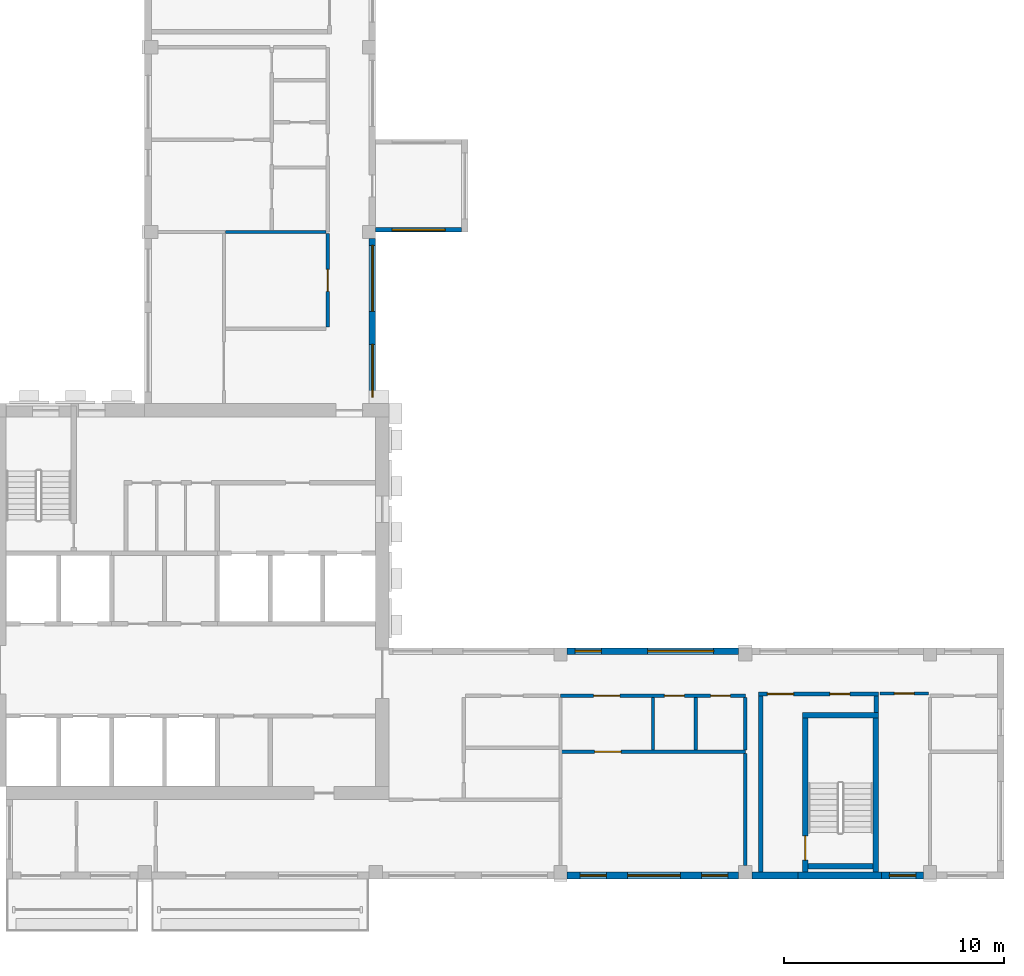
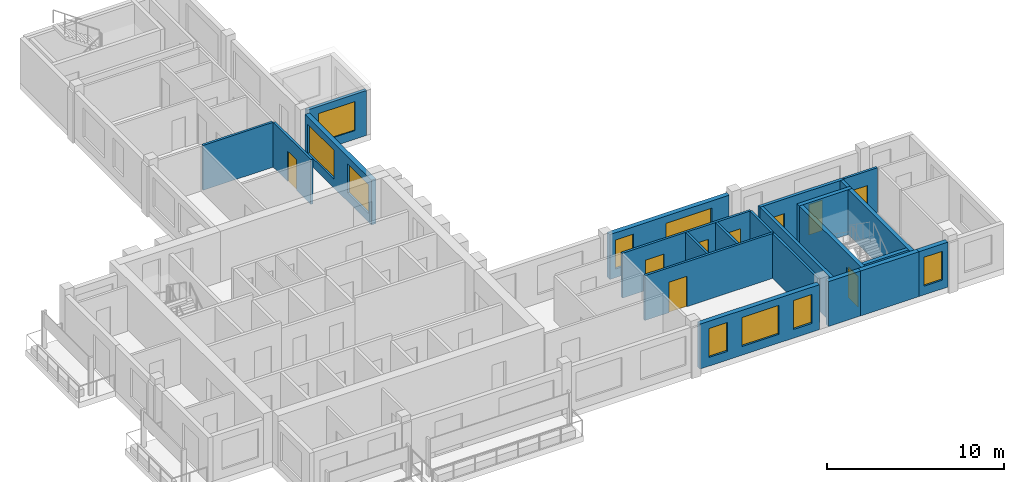
# One storey, part 4 of 10: 23 walls, 9 doors, 9 windows, 18 openings.
"""IFC4 building model written with IfcOpenShell, lengths in metres."""

from ifc_helpers import new_model, si_unit, direction, frame, frame_2d, origin, place, context, subcontext, project, spatial, rectangle, extrude, source, transform, mapped, material, layer, layer_set, type_object, element, fill, save


model = new_model("IFC4")

# Units and contexts
model_context = context("Model", 3, precision=1e-05, world=origin(), true_north=direction((0.0, 1.0)))
body_context = subcontext(model_context, "Body", "Model", "MODEL_VIEW")
ifc_project = project(units=[si_unit("LENGTHUNIT", "METRE"), si_unit("AREAUNIT", "SQUARE_METRE"), si_unit("VOLUMEUNIT", "CUBIC_METRE"), si_unit("PLANEANGLEUNIT", "RADIAN"), si_unit("MASSUNIT", "GRAM", prefix="KILO")], contexts=[model_context])

# Site, building, storey
site_placement = place(None, origin())
site = spatial("IfcSite", under=ifc_project, at=site_placement, CompositionType="ELEMENT")
building_placement = place(site_placement, origin())
building = spatial("IfcBuilding", under=site, at=building_placement, Name="Aurelian Terraces", CompositionType="ELEMENT")
storey_placement = place(building_placement, frame((0.0, 0.0, 354.5)))
storey = spatial("IfcBuildingStorey", under=building, at=storey_placement, Name="L84", CompositionType="ELEMENT", Elevation=354.5)

# Wall
ifc_material_1 = material(Name="Gypsum board on steel studs", Category="steel")
ifc_layer_1 = layer(ifc_material_1, 0.15)
ifc_layer_set_1 = layer_set([ifc_layer_1], Name="Fire partition 150")
wall_type_1 = type_object("IfcWallType", Name="Fire partition 150", PredefinedType="PARTITIONING", material=ifc_layer_set_1)
wall_1_placement = place(storey_placement, frame((37.8, 0.599, 0.0), z_axis=(0.0, 0.0, 1.0), x_axis=(0.0, 1.0, 0.0)))
element("IfcWall", 1, at=wall_1_placement, inside=storey, type_object=wall_type_1, Name="Party wall", PredefinedType="PARTITIONING", context=body_context, shape_type="SweptSolid", body=[
    extrude(rectangle(XDim=5.101, YDim=0.15, at=frame_2d((2.5505, 0.0))), origin(), (0.0, 0.0, 1.0), 3.1),
])

# Wall, opening, window
ifc_material_2 = material(Name="Concrete fc' 40 MPa", Category="concrete")
ifc_layer_2 = layer(ifc_material_2, 0.2)
ifc_layer_set_2 = layer_set([ifc_layer_2], Name="BOX BEARING WALL 200")
wall_type_2 = type_object("IfcWallType", Name="BOX BEARING WALL 200", PredefinedType="SOLIDWALL", material=ifc_layer_set_2)
shared_shape_1 = source(origin(), body_context, "Body", "SweptSolid", [
    extrude(rectangle(XDim=3.9, YDim=0.2, at=frame_2d((1.95, 0.0))), origin(), (0.0, 0.0, 1.0), 3.1),
])
wall_2_placement = place(storey_placement, frame((21.0, 29.5, 0.0), z_axis=(0.0, 0.0, 1.0), x_axis=(1.0, 0.0, 0.0)))
wall_2 = element("IfcWall", 2, at=wall_2_placement, inside=storey, type_object=wall_type_2, Name="Box return L84 J96.1", PredefinedType="SOLIDWALL", context=body_context, shape_type="MappedRepresentation", body=[
    mapped(shared_shape_1, transform((0.0, 0.0, 0.0), scale=1.0)),
])
shared_shape_2 = source(origin(), body_context, "Body", "SweptSolid", [
    extrude(rectangle(XDim=2.4, YDim=2.0, at=frame_2d((1.2, 1.0))), frame((0.0, 0.11, 0.0), z_axis=(0.0, -1.0, 0.0), x_axis=(1.0, 0.0, 0.0)), (0.0, 0.0, 1.0), 0.22),
])
opening_1_placement = place(wall_2_placement, frame((0.75, 0.0, 0.6)))
opening_1 = element("IfcOpeningElement", 3, at=opening_1_placement, cuts=wall_2, Name="Opening W2420", PredefinedType="OPENING", context=body_context, shape_type="MappedRepresentation", body=[
    mapped(shared_shape_2, transform((0.0, 0.0, 0.0), scale=1.0)),
])
ifc_material_3 = material(Name="Clear glazing", Category="glass")
window_type_1 = type_object("IfcWindowType", Name="W-2400x2000", PartitioningType="SINGLE_PANEL", PredefinedType="WINDOW", material=ifc_material_3)
shared_shape_3 = source(origin(), body_context, "Body", "SweptSolid", [
    extrude(rectangle(XDim=2.4, YDim=2.0, at=frame_2d((1.2, 1.0))), frame((0.0, 0.03, 0.0), z_axis=(0.0, -1.0, 0.0), x_axis=(1.0, 0.0, 0.0)), (0.0, 0.0, 1.0), 0.06),
])
window_1_placement = place(opening_1_placement, origin())
window_1 = element("IfcWindow", 4, at=window_1_placement, inside=storey, type_object=window_type_1, Name="Window L84 J96-S1", OverallHeight=2.0, OverallWidth=2.4, PartitioningType="SINGLE_PANEL", PredefinedType="WINDOW", context=body_context, shape_type="MappedRepresentation", body=[
    mapped(shared_shape_3, transform((0.0, 0.0, 0.0), scale=1.0)),
])
fill(opening_1, window_1)

# Walls
ifc_layer_3 = layer(ifc_material_2, 0.3)
ifc_layer_set_3 = layer_set([ifc_layer_3], Name="STAIR BAY WALL 300")
wall_type_3 = type_object("IfcWallType", Name="STAIR BAY WALL 300", PredefinedType="SOLIDWALL", material=ifc_layer_set_3)
shared_shape_4 = source(origin(), body_context, "Body", "SweptSolid", [
    extrude(rectangle(XDim=3.8, YDim=0.3, at=frame_2d((1.9, 0.0))), origin(), (0.0, 0.0, 1.0), 3.1),
])
wall_3_placement = place(storey_placement, frame((40.2, 0.15, 0.0), z_axis=(0.0, 0.0, 1.0), x_axis=(1.0, 0.0, 0.0)))
element("IfcWall", 5, at=wall_3_placement, inside=storey, type_object=wall_type_3, Name="Stair bay wall L84 F01.5", PredefinedType="SOLIDWALL", context=body_context, shape_type="MappedRepresentation", body=[
    mapped(shared_shape_4, transform((0.0, 0.0, 0.0), scale=1.0)),
])
ifc_material_4 = material(Name="Terracotta rainscreen cladding", Category="masonry")
ifc_layer_4 = layer(ifc_material_4, 0.3)
ifc_layer_set_4 = layer_set([ifc_layer_4], Name="EW-300")
wall_type_4 = type_object("IfcWallType", Name="EW-300", PredefinedType="STANDARD", material=ifc_layer_set_4)
shared_shape_5 = source(origin(), body_context, "Body", "SweptSolid", [
    extrude(rectangle(XDim=2.1, YDim=0.3, at=frame_2d((1.05, 0.0))), origin(), (0.0, 0.0, 1.0), 3.1),
])
wall_4_placement = place(storey_placement, frame((38.1, 0.15, 0.0), z_axis=(0.0, 0.0, 1.0), x_axis=(1.0, 0.0, 0.0)))
element("IfcWall", 6, at=wall_4_placement, inside=storey, type_object=wall_type_4, Name="External wall L84 F01.5", PredefinedType="STANDARD", context=body_context, shape_type="MappedRepresentation", body=[
    mapped(shared_shape_5, transform((0.0, 0.0, 0.0), scale=1.0)),
])

# Wall, opening, window
shared_shape_6 = source(origin(), body_context, "Body", "SweptSolid", [
    extrude(rectangle(XDim=1.9, YDim=0.3, at=frame_2d((0.95, 0.0))), origin(), (0.0, 0.0, 1.0), 3.1),
])
wall_5_placement = place(storey_placement, frame((44.0, 0.15, 0.0), z_axis=(0.0, 0.0, 1.0), x_axis=(1.0, 0.0, 0.0)))
wall_5 = element("IfcWall", 7, at=wall_5_placement, inside=storey, type_object=wall_type_4, Name="External wall L84 F01.5", PredefinedType="STANDARD", context=body_context, shape_type="MappedRepresentation", body=[
    mapped(shared_shape_6, transform((0.0, 0.0, 0.0), scale=1.0)),
])
shared_shape_7 = source(origin(), body_context, "Body", "SweptSolid", [
    extrude(rectangle(XDim=1.2, YDim=2.0, at=frame_2d((0.6, 1.0))), frame((0.0, 0.16, 0.0), z_axis=(0.0, -1.0, 0.0), x_axis=(1.0, 0.0, 0.0)), (0.0, 0.0, 1.0), 0.32),
])
opening_2_placement = place(wall_5_placement, frame((0.35, 0.0, 0.6)))
opening_2 = element("IfcOpeningElement", 8, at=opening_2_placement, cuts=wall_5, Name="Opening W1220", PredefinedType="OPENING", context=body_context, shape_type="MappedRepresentation", body=[
    mapped(shared_shape_7, transform((0.0, 0.0, 0.0), scale=1.0)),
])
window_type_2 = type_object("IfcWindowType", Name="W-1200x2000", PartitioningType="SINGLE_PANEL", PredefinedType="WINDOW", material=ifc_material_3)
shared_shape_8 = source(origin(), body_context, "Body", "SweptSolid", [
    extrude(rectangle(XDim=1.2, YDim=2.0, at=frame_2d((0.6, 1.0))), frame((0.0, 0.03, 0.0), z_axis=(0.0, -1.0, 0.0), x_axis=(1.0, 0.0, 0.0)), (0.0, 0.0, 1.0), 0.06),
])
window_2_placement = place(opening_2_placement, origin())
window_2 = element("IfcWindow", 9, at=window_2_placement, inside=storey, type_object=window_type_2, Name="Window L84 L84-F01-05-P2", OverallHeight=2.0, OverallWidth=1.2, PartitioningType="SINGLE_PANEL", PredefinedType="WINDOW", context=body_context, shape_type="MappedRepresentation", body=[
    mapped(shared_shape_8, transform((0.0, 0.0, 0.0), scale=1.0)),
])
fill(opening_2, window_2)

# Wall, openings, windows
shared_shape_9 = source(origin(), body_context, "Body", "SweptSolid", [
    extrude(rectangle(XDim=7.8, YDim=0.3, at=frame_2d((3.9, 0.0))), origin(), (0.0, 0.0, 1.0), 3.1),
])
wall_6_placement = place(storey_placement, frame((29.7, 0.15, 0.0), z_axis=(0.0, 0.0, 1.0), x_axis=(1.0, 0.0, 0.0)))
wall_6 = element("IfcWall", 10, at=wall_6_placement, inside=storey, type_object=wall_type_4, Name="External wall L84 F01.4", PredefinedType="STANDARD", context=body_context, shape_type="MappedRepresentation", body=[
    mapped(shared_shape_9, transform((0.0, 0.0, 0.0), scale=1.0)),
])
opening_3_placement = place(wall_6_placement, frame((0.5875, 0.0, 0.6)))
opening_3 = element("IfcOpeningElement", 11, at=opening_3_placement, cuts=wall_6, Name="Opening W1220", PredefinedType="OPENING", context=body_context, shape_type="MappedRepresentation", body=[
    mapped(shared_shape_7, transform((0.0, 0.0, 0.0), scale=1.0)),
])
opening_4_placement = place(wall_6_placement, frame((6.1125, 0.0, 0.6)))
opening_4 = element("IfcOpeningElement", 12, at=opening_4_placement, cuts=wall_6, Name="Opening W1220", PredefinedType="OPENING", context=body_context, shape_type="MappedRepresentation", body=[
    mapped(shared_shape_7, transform((0.0, 0.0, 0.0), scale=1.0)),
])
shared_shape_10 = source(origin(), body_context, "Body", "SweptSolid", [
    extrude(rectangle(XDim=2.4, YDim=2.0, at=frame_2d((1.2, 1.0))), frame((0.0, 0.16, 0.0), z_axis=(0.0, -1.0, 0.0), x_axis=(1.0, 0.0, 0.0)), (0.0, 0.0, 1.0), 0.32),
])
opening_5_placement = place(wall_6_placement, frame((2.75, 0.0, 0.6)))
opening_5 = element("IfcOpeningElement", 13, at=opening_5_placement, cuts=wall_6, Name="Opening W2420", PredefinedType="OPENING", context=body_context, shape_type="MappedRepresentation", body=[
    mapped(shared_shape_10, transform((0.0, 0.0, 0.0), scale=1.0)),
])
window_3_placement = place(opening_3_placement, origin())
window_3 = element("IfcWindow", 14, at=window_3_placement, inside=storey, type_object=window_type_2, Name="Window L84 L84-F01-04-0", OverallHeight=2.0, OverallWidth=1.2, PartitioningType="SINGLE_PANEL", PredefinedType="WINDOW", context=body_context, shape_type="MappedRepresentation", body=[
    mapped(shared_shape_8, transform((0.0, 0.0, 0.0), scale=1.0)),
])
fill(opening_3, window_3)
window_4_placement = place(opening_4_placement, origin())
window_4 = element("IfcWindow", 15, at=window_4_placement, inside=storey, type_object=window_type_2, Name="Window L84 L84-F01-04-1", OverallHeight=2.0, OverallWidth=1.2, PartitioningType="SINGLE_PANEL", PredefinedType="WINDOW", context=body_context, shape_type="MappedRepresentation", body=[
    mapped(shared_shape_8, transform((0.0, 0.0, 0.0), scale=1.0)),
])
fill(opening_4, window_4)
window_5_placement = place(opening_5_placement, origin())
window_5 = element("IfcWindow", 16, at=window_5_placement, inside=storey, type_object=window_type_1, Name="Window L84 L84-F01-04-G0-21", OverallHeight=2.0, OverallWidth=2.4, PartitioningType="SINGLE_PANEL", PredefinedType="WINDOW", context=body_context, shape_type="MappedRepresentation", body=[
    mapped(shared_shape_3, transform((0.0, 0.0, 0.0), scale=1.0)),
])
fill(opening_5, window_5)

wall_7_placement = place(storey_placement, frame((37.5, 10.35, 0.0), z_axis=(0.0, 0.0, 1.0), x_axis=(-1.0, 0.0, 0.0)))
wall_7 = element("IfcWall", 17, at=wall_7_placement, inside=storey, type_object=wall_type_4, Name="External wall L84 F03.8", PredefinedType="STANDARD", context=body_context, shape_type="MappedRepresentation", body=[
    mapped(shared_shape_9, transform((0.0, 0.0, 0.0), scale=1.0)),
])
shared_shape_11 = source(origin(), body_context, "Body", "SweptSolid", [
    extrude(rectangle(XDim=3.0, YDim=2.0, at=frame_2d((1.5, 1.0))), frame((0.0, 0.16, 0.0), z_axis=(0.0, -1.0, 0.0), x_axis=(1.0, 0.0, 0.0)), (0.0, 0.0, 1.0), 0.32),
])
opening_6_placement = place(wall_7_placement, frame((1.14, 0.0, 0.6)))
opening_6 = element("IfcOpeningElement", 18, at=opening_6_placement, cuts=wall_7, Name="Opening W3020", PredefinedType="OPENING", context=body_context, shape_type="MappedRepresentation", body=[
    mapped(shared_shape_11, transform((0.0, 0.0, 0.0), scale=1.0)),
])
opening_7_placement = place(wall_7_placement, frame((6.24, 0.0, 0.6)))
opening_7 = element("IfcOpeningElement", 19, at=opening_7_placement, cuts=wall_7, Name="Opening W1220", PredefinedType="OPENING", context=body_context, shape_type="MappedRepresentation", body=[
    mapped(shared_shape_7, transform((0.0, 0.0, 0.0), scale=1.0)),
])
window_type_3 = type_object("IfcWindowType", Name="W-3000x2000", PartitioningType="SINGLE_PANEL", PredefinedType="WINDOW", material=ifc_material_3)
shared_shape_12 = source(origin(), body_context, "Body", "SweptSolid", [
    extrude(rectangle(XDim=3.0, YDim=2.0, at=frame_2d((1.5, 1.0))), frame((0.0, 0.03, 0.0), z_axis=(0.0, -1.0, 0.0), x_axis=(1.0, 0.0, 0.0)), (0.0, 0.0, 1.0), 0.06),
])
window_6_placement = place(opening_6_placement, origin())
window_6 = element("IfcWindow", 20, at=window_6_placement, inside=storey, type_object=window_type_3, Name="Window L84 L84-F03-08-3", OverallHeight=2.0, OverallWidth=3.0, PartitioningType="SINGLE_PANEL", PredefinedType="WINDOW", context=body_context, shape_type="MappedRepresentation", body=[
    mapped(shared_shape_12, transform((0.0, 0.0, 0.0), scale=1.0)),
])
fill(opening_6, window_6)
window_7_placement = place(opening_7_placement, origin())
window_7 = element("IfcWindow", 21, at=window_7_placement, inside=storey, type_object=window_type_2, Name="Window L84 L84-F03-08-4", OverallHeight=2.0, OverallWidth=1.2, PartitioningType="SINGLE_PANEL", PredefinedType="WINDOW", context=body_context, shape_type="MappedRepresentation", body=[
    mapped(shared_shape_8, transform((0.0, 0.0, 0.0), scale=1.0)),
])
fill(opening_7, window_7)

shared_shape_13 = source(origin(), body_context, "Body", "SweptSolid", [
    extrude(rectangle(XDim=7.5, YDim=0.3, at=frame_2d((3.75, 0.0))), origin(), (0.0, 0.0, 1.0), 3.1),
])
wall_8_placement = place(storey_placement, frame((20.85, 21.6, 0.0), z_axis=(0.0, 0.0, 1.0), x_axis=(0.0, 1.0, 0.0)))
wall_8 = element("IfcWall", 22, at=wall_8_placement, inside=storey, type_object=wall_type_4, Name="External wall L84 F04.10", PredefinedType="STANDARD", context=body_context, shape_type="MappedRepresentation", body=[
    mapped(shared_shape_13, transform((0.0, 0.0, 0.0), scale=1.0)),
])
opening_8_placement = place(wall_8_placement, frame((0.3, 0.0, 0.6)))
opening_8 = element("IfcOpeningElement", 23, at=opening_8_placement, cuts=wall_8, Name="Opening W2420", PredefinedType="OPENING", context=body_context, shape_type="MappedRepresentation", body=[
    mapped(shared_shape_10, transform((0.0, 0.0, 0.0), scale=1.0)),
])
opening_9_placement = place(wall_8_placement, frame((4.2, 0.0, 0.6)))
opening_9 = element("IfcOpeningElement", 24, at=opening_9_placement, cuts=wall_8, Name="Opening W3020", PredefinedType="OPENING", context=body_context, shape_type="MappedRepresentation", body=[
    mapped(shared_shape_11, transform((0.0, 0.0, 0.0), scale=1.0)),
])
window_8_placement = place(opening_9_placement, origin())
window_8 = element("IfcWindow", 25, at=window_8_placement, inside=storey, type_object=window_type_3, Name="Window L84 L84-F04-10-1", OverallHeight=2.0, OverallWidth=3.0, PartitioningType="SINGLE_PANEL", PredefinedType="WINDOW", context=body_context, shape_type="MappedRepresentation", body=[
    mapped(shared_shape_12, transform((0.0, 0.0, 0.0), scale=1.0)),
])
fill(opening_9, window_8)
window_9_placement = place(opening_8_placement, origin())
window_9 = element("IfcWindow", 26, at=window_9_placement, inside=storey, type_object=window_type_1, Name="Window L84 L84-F04-10-0", OverallHeight=2.0, OverallWidth=2.4, PartitioningType="SINGLE_PANEL", PredefinedType="WINDOW", context=body_context, shape_type="MappedRepresentation", body=[
    mapped(shared_shape_3, transform((0.0, 0.0, 0.0), scale=1.0)),
])
fill(opening_8, window_9)

# Wall, opening, door
ifc_layer_5 = layer(ifc_material_2, 0.25)
ifc_layer_set_5 = layer_set([ifc_layer_5], Name="Stair enclosure wall 250")
wall_type_5 = type_object("IfcWallType", Name="Stair enclosure wall 250", PredefinedType="SOLIDWALL", material=ifc_layer_set_5)
shared_shape_14 = source(origin(), body_context, "Body", "SweptSolid", [
    extrude(rectangle(XDim=7.0, YDim=0.25, at=frame_2d((3.5, 0.0))), origin(), (0.0, 0.0, 1.0), 3.1),
])
wall_9_placement = place(storey_placement, frame((40.525, 0.3, 0.0), z_axis=(0.0, 0.0, 1.0), x_axis=(0.0, 1.0, 0.0)))
wall_9 = element("IfcWall", 27, at=wall_9_placement, inside=storey, type_object=wall_type_5, Name="L84 core wall ST-S2-W", PredefinedType="SOLIDWALL", context=body_context, shape_type="MappedRepresentation", body=[
    mapped(shared_shape_14, transform((0.0, 0.0, 0.0), scale=1.0)),
])
shared_shape_15 = source(origin(), body_context, "Body", "SweptSolid", [
    extrude(rectangle(XDim=1.1, YDim=2.1, at=frame_2d((0.55, 1.05))), frame((0.0, 0.135, 0.0), z_axis=(0.0, -1.0, 0.0), x_axis=(1.0, 0.0, 0.0)), (0.0, 0.0, 1.0), 0.27),
])
opening_10_placement = place(wall_9_placement, frame((0.55, 0.0, 0.0)))
opening_10 = element("IfcOpeningElement", 28, at=opening_10_placement, cuts=wall_9, Name="Opening 68718", PredefinedType="OPENING", context=body_context, shape_type="MappedRepresentation", body=[
    mapped(shared_shape_15, transform((0.0, 0.0, 0.0), scale=1.0)),
])
ifc_material_5 = material(Name="Steel door leaf", Category="steel")
door_type_1 = type_object("IfcDoorType", Name="Core fire door 1100x2100 right", OperationType="SINGLE_SWING_RIGHT", PredefinedType="DOOR", material=ifc_material_5)
shared_shape_16 = source(origin(), body_context, "Body", "SweptSolid", [
    extrude(rectangle(XDim=1.1, YDim=2.1, at=frame_2d((0.55, 1.05))), frame((0.0, 0.025, 0.0), z_axis=(0.0, -1.0, 0.0), x_axis=(1.0, 0.0, 0.0)), (0.0, 0.0, 1.0), 0.05),
])
door_1_placement = place(opening_10_placement, origin())
door_1 = element("IfcDoor", 29, at=door_1_placement, inside=storey, type_object=door_type_1, Name="Stair door 68718", OperationType="SINGLE_SWING_RIGHT", OverallHeight=2.1, OverallWidth=1.1, PredefinedType="DOOR", context=body_context, shape_type="MappedRepresentation", body=[
    mapped(shared_shape_16, transform((0.0, 0.0, 0.0), scale=1.0)),
])
fill(opening_10, door_1)

# Walls
wall_10_placement = place(storey_placement, frame((43.725, 0.3, 0.0), z_axis=(0.0, 0.0, 1.0), x_axis=(0.0, 1.0, 0.0)))
element("IfcWall", 30, at=wall_10_placement, inside=storey, type_object=wall_type_5, Name="L84 core wall ST-S2-E", PredefinedType="SOLIDWALL", context=body_context, shape_type="MappedRepresentation", body=[
    mapped(shared_shape_14, transform((0.0, 0.0, 0.0), scale=1.0)),
])
shared_shape_17 = source(origin(), body_context, "Body", "SweptSolid", [
    extrude(rectangle(XDim=3.45, YDim=0.25, at=frame_2d((1.725, 0.0))), origin(), (0.0, 0.0, 1.0), 3.1),
])
wall_11_placement = place(storey_placement, frame((40.4, 7.425, 0.0), z_axis=(0.0, 0.0, 1.0), x_axis=(1.0, 0.0, 0.0)))
element("IfcWall", 31, at=wall_11_placement, inside=storey, type_object=wall_type_5, Name="L84 core wall ST-S2-N", PredefinedType="SOLIDWALL", context=body_context, shape_type="MappedRepresentation", body=[
    mapped(shared_shape_17, transform((0.0, 0.0, 0.0), scale=1.0)),
])
ifc_layer_6 = layer(ifc_material_1, 0.2)
ifc_layer_set_6 = layer_set([ifc_layer_6], Name="Core partition 200")
wall_type_6 = type_object("IfcWallType", Name="Core partition 200", PredefinedType="PARTITIONING", material=ifc_layer_set_6)
shared_shape_18 = source(origin(), body_context, "Body", "SweptSolid", [
    extrude(rectangle(XDim=8.0, YDim=0.2, at=frame_2d((4.0, 0.0))), origin(), (0.0, 0.0, 1.0), 3.1),
])
wall_12_placement = place(storey_placement, frame((38.5, 0.3, 0.0), z_axis=(0.0, 0.0, 1.0), x_axis=(0.0, 1.0, 0.0)))
element("IfcWall", 32, at=wall_12_placement, inside=storey, type_object=wall_type_6, Name="L84 core wall ST-S2-VW", PredefinedType="PARTITIONING", context=body_context, shape_type="MappedRepresentation", body=[
    mapped(shared_shape_18, transform((0.0, 0.0, 0.0), scale=1.0)),
])

# Wall, openings, doors
shared_shape_19 = source(origin(), body_context, "Body", "SweptSolid", [
    extrude(rectangle(XDim=5.45, YDim=0.2, at=frame_2d((2.725, 0.0))), origin(), (0.0, 0.0, 1.0), 3.1),
])
wall_13_placement = place(storey_placement, frame((38.4, 8.4, 0.0), z_axis=(0.0, 0.0, 1.0), x_axis=(1.0, 0.0, 0.0)))
wall_13 = element("IfcWall", 33, at=wall_13_placement, inside=storey, type_object=wall_type_6, Name="L84 core wall ST-S2-BN", PredefinedType="PARTITIONING", context=body_context, shape_type="MappedRepresentation", body=[
    mapped(shared_shape_19, transform((0.0, 0.0, 0.0), scale=1.0)),
])
shared_shape_20 = source(origin(), body_context, "Body", "SweptSolid", [
    extrude(rectangle(XDim=1.2, YDim=2.1, at=frame_2d((0.6, 1.05))), frame((0.0, 0.11, 0.0), z_axis=(0.0, -1.0, 0.0), x_axis=(1.0, 0.0, 0.0)), (0.0, 0.0, 1.0), 0.22),
])
opening_11_placement = place(wall_13_placement, frame((0.4, 0.0, 0.0)))
opening_11 = element("IfcOpeningElement", 34, at=opening_11_placement, cuts=wall_13, Name="Opening 68719", PredefinedType="OPENING", context=body_context, shape_type="MappedRepresentation", body=[
    mapped(shared_shape_20, transform((0.0, 0.0, 0.0), scale=1.0)),
])
shared_shape_21 = source(origin(), body_context, "Body", "SweptSolid", [
    extrude(rectangle(XDim=0.9, YDim=2.1, at=frame_2d((0.45, 1.05))), frame((0.0, 0.11, 0.0), z_axis=(0.0, -1.0, 0.0), x_axis=(1.0, 0.0, 0.0)), (0.0, 0.0, 1.0), 0.22),
])
opening_12_placement = place(wall_13_placement, frame((3.25, 0.0, 0.0)))
opening_12 = element("IfcOpeningElement", 35, at=opening_12_placement, cuts=wall_13, Name="Opening 68720", PredefinedType="OPENING", context=body_context, shape_type="MappedRepresentation", body=[
    mapped(shared_shape_21, transform((0.0, 0.0, 0.0), scale=1.0)),
])
door_type_2 = type_object("IfcDoorType", Name="Core riser door 900x2100 right", OperationType="SINGLE_SWING_RIGHT", PredefinedType="DOOR", material=ifc_material_5)
shared_shape_22 = source(origin(), body_context, "Body", "SweptSolid", [
    extrude(rectangle(XDim=0.9, YDim=2.1, at=frame_2d((0.45, 1.05))), frame((0.0, 0.025, 0.0), z_axis=(0.0, -1.0, 0.0), x_axis=(1.0, 0.0, 0.0)), (0.0, 0.0, 1.0), 0.05),
])
door_2_placement = place(opening_12_placement, origin())
door_2 = element("IfcDoor", 36, at=door_2_placement, inside=storey, type_object=door_type_2, Name="Riser door 68720", OperationType="SINGLE_SWING_RIGHT", OverallHeight=2.1, OverallWidth=0.9, PredefinedType="DOOR", context=body_context, shape_type="MappedRepresentation", body=[
    mapped(shared_shape_22, transform((0.0, 0.0, 0.0), scale=1.0)),
])
fill(opening_12, door_2)
door_type_3 = type_object("IfcDoorType", Name="Core fire door 1200x2100", OperationType="SINGLE_SWING_LEFT", PredefinedType="DOOR", material=ifc_material_5)
shared_shape_23 = source(origin(), body_context, "Body", "SweptSolid", [
    extrude(rectangle(XDim=1.2, YDim=2.1, at=frame_2d((0.6, 1.05))), frame((0.0, 0.025, 0.0), z_axis=(0.0, -1.0, 0.0), x_axis=(1.0, 0.0, 0.0)), (0.0, 0.0, 1.0), 0.05),
])
door_3_placement = place(opening_11_placement, origin())
door_3 = element("IfcDoor", 37, at=door_3_placement, inside=storey, type_object=door_type_3, Name="Vestibule door 68719", OperationType="SINGLE_SWING_LEFT", OverallHeight=2.1, OverallWidth=1.2, PredefinedType="DOOR", context=body_context, shape_type="MappedRepresentation", body=[
    mapped(shared_shape_23, transform((0.0, 0.0, 0.0), scale=1.0)),
])
fill(opening_11, door_3)

# Walls
shared_shape_24 = source(origin(), body_context, "Body", "SweptSolid", [
    extrude(rectangle(XDim=0.75, YDim=0.2, at=frame_2d((0.375, 0.0))), origin(), (0.0, 0.0, 1.0), 3.1),
])
wall_14_placement = place(storey_placement, frame((43.75, 7.55, 0.0), z_axis=(0.0, 0.0, 1.0), x_axis=(0.0, 1.0, 0.0)))
element("IfcWall", 38, at=wall_14_placement, inside=storey, type_object=wall_type_6, Name="L84 core wall ST-S2-RE", PredefinedType="PARTITIONING", context=body_context, shape_type="MappedRepresentation", body=[
    mapped(shared_shape_24, transform((0.0, 0.0, 0.0), scale=1.0)),
])
shared_shape_25 = source(origin(), body_context, "Body", "SweptSolid", [
    extrude(rectangle(XDim=2.95, YDim=0.25, at=frame_2d((1.475, 0.0))), origin(), (0.0, 0.0, 1.0), 3.1),
])
wall_15_placement = place(storey_placement, frame((40.65, 0.575, 0.0), z_axis=(0.0, 0.0, 1.0), x_axis=(1.0, 0.0, 0.0)))
element("IfcWall", 39, at=wall_15_placement, inside=storey, type_object=wall_type_5, Name="L84 core wall ST-S2-SS", PredefinedType="SOLIDWALL", context=body_context, shape_type="MappedRepresentation", body=[
    mapped(shared_shape_25, transform((0.0, 0.0, 0.0), scale=1.0)),
])
ifc_layer_7 = layer(ifc_material_1, 0.15)
ifc_layer_set_7 = layer_set([ifc_layer_7], Name="Partition 150")
wall_type_7 = type_object("IfcWallType", Name="Partition 150", PredefinedType="PARTITIONING", material=ifc_layer_set_7)
shared_shape_26 = source(origin(), body_context, "Body", "SweptSolid", [
    extrude(rectangle(XDim=4.575, YDim=0.15, at=frame_2d((2.2875, 0.0))), origin(), (0.0, 0.0, 1.0), 3.1),
])
wall_16_placement = place(storey_placement, frame((18.75, 29.4, 0.0), z_axis=(0.0, 0.0, 1.0), x_axis=(-1.0, 0.0, 0.0)))
element("IfcWall", 40, at=wall_16_placement, inside=storey, type_object=wall_type_7, Name="Partition", PredefinedType="PARTITIONING", context=body_context, shape_type="MappedRepresentation", body=[
    mapped(shared_shape_26, transform((0.0, 0.0, 0.0), scale=1.0)),
])

# Wall, opening, door
shared_shape_27 = source(origin(), body_context, "Body", "SweptSolid", [
    extrude(rectangle(XDim=8.4, YDim=0.15, at=frame_2d((4.2, 0.0))), origin(), (0.0, 0.0, 1.0), 3.1),
])
wall_17_placement = place(storey_placement, frame((37.8, 5.775, 0.0), z_axis=(0.0, 0.0, 1.0), x_axis=(-1.0, 0.0, 0.0)))
wall_17 = element("IfcWall", 41, at=wall_17_placement, inside=storey, type_object=wall_type_7, Name="Partition", PredefinedType="PARTITIONING", context=body_context, shape_type="MappedRepresentation", body=[
    mapped(shared_shape_27, transform((0.0, 0.0, 0.0), scale=1.0)),
])
shared_shape_28 = source(origin(), body_context, "Body", "SweptSolid", [
    extrude(rectangle(XDim=1.2, YDim=2.1, at=frame_2d((0.6, 1.05))), frame((0.0, 0.085, 0.0), z_axis=(0.0, -1.0, 0.0), x_axis=(1.0, 0.0, 0.0)), (0.0, 0.0, 1.0), 0.17),
])
opening_13_placement = place(wall_17_placement, frame((5.6476, 0.0, 0.0)))
opening_13 = element("IfcOpeningElement", 42, at=opening_13_placement, cuts=wall_17, Name="Opening 784008", PredefinedType="OPENING", context=body_context, shape_type="MappedRepresentation", body=[
    mapped(shared_shape_28, transform((0.0, 0.0, 0.0), scale=1.0)),
])
ifc_material_6 = material(Name="Timber door leaf", Category="wood")
door_type_4 = type_object("IfcDoorType", Name="Room door 1200x2100 right", OperationType="SINGLE_SWING_RIGHT", PredefinedType="DOOR", material=ifc_material_6)
door_4_placement = place(opening_13_placement, origin())
door_4 = element("IfcDoor", 43, at=door_4_placement, inside=storey, type_object=door_type_4, Name="Door 784008", OperationType="SINGLE_SWING_RIGHT", OverallHeight=2.1, OverallWidth=1.2, PredefinedType="DOOR", context=body_context, shape_type="MappedRepresentation", body=[
    mapped(shared_shape_23, transform((0.0, 0.0, 0.0), scale=1.0)),
])
fill(opening_13, door_4)

# Wall, openings, doors
wall_18_placement = place(storey_placement, frame((37.8, 8.325, 0.0), z_axis=(0.0, 0.0, 1.0), x_axis=(-1.0, 0.0, 0.0)))
wall_18 = element("IfcWall", 44, at=wall_18_placement, inside=storey, type_object=wall_type_1, Name="Corridor wall", PredefinedType="PARTITIONING", context=body_context, shape_type="MappedRepresentation", body=[
    mapped(shared_shape_27, transform((0.0, 0.0, 0.0), scale=1.0)),
])
opening_14_placement = place(wall_18_placement, frame((5.6976, 0.0, 0.0)))
opening_14 = element("IfcOpeningElement", 45, at=opening_14_placement, cuts=wall_18, Name="Opening 784007", PredefinedType="OPENING", context=body_context, shape_type="MappedRepresentation", body=[
    mapped(shared_shape_28, transform((0.0, 0.0, 0.0), scale=1.0)),
])
shared_shape_29 = source(origin(), body_context, "Body", "SweptSolid", [
    extrude(rectangle(XDim=0.9, YDim=2.1, at=frame_2d((0.45, 1.05))), frame((0.0, 0.085, 0.0), z_axis=(0.0, -1.0, 0.0), x_axis=(1.0, 0.0, 0.0)), (0.0, 0.0, 1.0), 0.17),
])
opening_15_placement = place(wall_18_placement, frame((2.7734, 0.0, 0.0)))
opening_15 = element("IfcOpeningElement", 46, at=opening_15_placement, cuts=wall_18, Name="Opening 784009", PredefinedType="OPENING", context=body_context, shape_type="MappedRepresentation", body=[
    mapped(shared_shape_29, transform((0.0, 0.0, 0.0), scale=1.0)),
])
opening_16_placement = place(wall_18_placement, frame((0.6758, 0.0, 0.0)))
opening_16 = element("IfcOpeningElement", 47, at=opening_16_placement, cuts=wall_18, Name="Opening 784010", PredefinedType="OPENING", context=body_context, shape_type="MappedRepresentation", body=[
    mapped(shared_shape_29, transform((0.0, 0.0, 0.0), scale=1.0)),
])
door_type_5 = type_object("IfcDoorType", Name="Entrance fire door 900x2100 left", OperationType="SINGLE_SWING_LEFT", PredefinedType="DOOR", material=ifc_material_5)
door_5_placement = place(opening_15_placement, origin())
door_5 = element("IfcDoor", 48, at=door_5_placement, inside=storey, type_object=door_type_5, Name="Door 784009", OperationType="SINGLE_SWING_LEFT", OverallHeight=2.1, OverallWidth=0.9, PredefinedType="DOOR", context=body_context, shape_type="MappedRepresentation", body=[
    mapped(shared_shape_22, transform((0.0, 0.0, 0.0), scale=1.0)),
])
fill(opening_15, door_5)
door_type_6 = type_object("IfcDoorType", Name="Entrance fire door 900x2100 right", OperationType="SINGLE_SWING_RIGHT", PredefinedType="DOOR", material=ifc_material_5)
door_6_placement = place(opening_16_placement, origin())
door_6 = element("IfcDoor", 49, at=door_6_placement, inside=storey, type_object=door_type_6, Name="Door 784010", OperationType="SINGLE_SWING_RIGHT", OverallHeight=2.1, OverallWidth=0.9, PredefinedType="DOOR", context=body_context, shape_type="MappedRepresentation", body=[
    mapped(shared_shape_22, transform((0.0, 0.0, 0.0), scale=1.0)),
])
fill(opening_16, door_6)
door_type_7 = type_object("IfcDoorType", Name="Entrance fire door 1200x2100 left", OperationType="SINGLE_SWING_LEFT", PredefinedType="DOOR", material=ifc_material_5)
door_7_placement = place(opening_14_placement, origin())
door_7 = element("IfcDoor", 50, at=door_7_placement, inside=storey, type_object=door_type_7, Name="Door 784007", OperationType="SINGLE_SWING_LEFT", OverallHeight=2.1, OverallWidth=1.2, PredefinedType="DOOR", context=body_context, shape_type="MappedRepresentation", body=[
    mapped(shared_shape_23, transform((0.0, 0.0, 0.0), scale=1.0)),
])
fill(opening_14, door_7)

# Wall, opening, door
shared_shape_30 = source(origin(), body_context, "Body", "SweptSolid", [
    extrude(rectangle(XDim=2.2, YDim=0.15, at=frame_2d((1.1, 0.0))), origin(), (0.0, 0.0, 1.0), 3.1),
])
wall_19_placement = place(storey_placement, frame((46.125, 8.425, 0.0), z_axis=(0.0, 0.0, 1.0), x_axis=(-1.0, 0.0, 0.0)))
wall_19 = element("IfcWall", 51, at=wall_19_placement, inside=storey, type_object=wall_type_7, Name="Partition", PredefinedType="PARTITIONING", context=body_context, shape_type="MappedRepresentation", body=[
    mapped(shared_shape_30, transform((0.0, 0.0, 0.0), scale=1.0)),
])
opening_17_placement = place(wall_19_placement, frame((0.65, 0.0, 0.0)))
opening_17 = element("IfcOpeningElement", 52, at=opening_17_placement, cuts=wall_19, Name="Opening 784006", PredefinedType="OPENING", context=body_context, shape_type="MappedRepresentation", body=[
    mapped(shared_shape_29, transform((0.0, 0.0, 0.0), scale=1.0)),
])
door_type_8 = type_object("IfcDoorType", Name="Room door 900x2100 right", OperationType="SINGLE_SWING_RIGHT", PredefinedType="DOOR", material=ifc_material_6)
door_8_placement = place(opening_17_placement, origin())
door_8 = element("IfcDoor", 53, at=door_8_placement, inside=storey, type_object=door_type_8, Name="Door 784006", OperationType="SINGLE_SWING_RIGHT", OverallHeight=2.1, OverallWidth=0.9, PredefinedType="DOOR", context=body_context, shape_type="MappedRepresentation", body=[
    mapped(shared_shape_22, transform((0.0, 0.0, 0.0), scale=1.0)),
])
fill(opening_17, door_8)

# Walls
shared_shape_31 = source(origin(), body_context, "Body", "SweptSolid", [
    extrude(rectangle(XDim=2.4, YDim=0.15, at=frame_2d((1.2, 0.0))), origin(), (0.0, 0.0, 1.0), 3.1),
])
for number, where, z_axis, x_axis, name in (
    (54, (33.6049, 5.85, 0.0), (0.0, 0.0, 1.0), (0.0, 1.0, 0.0), "Partition"),
    (55, (35.5483, 5.85, 0.0), (0.0, 0.0, 1.0), (0.0, 1.0, 0.0), "Partition"),
):
    element("IfcWall", number, at=place(storey_placement, frame(where, z_axis=z_axis, x_axis=x_axis)), inside=storey, type_object=wall_type_7, Name=name, PredefinedType="PARTITIONING", context=body_context, shape_type="MappedRepresentation", body=[
        mapped(shared_shape_31, transform((0.0, 0.0, 0.0), scale=1.0)),
    ])
wall_20_placement = place(storey_placement, frame((37.8, 5.85, 0.0), z_axis=(0.0, 0.0, 1.0), x_axis=(0.0, 1.0, 0.0)))
element("IfcWall", 56, at=wall_20_placement, inside=storey, type_object=wall_type_1, Name="Party wall", PredefinedType="PARTITIONING", context=body_context, shape_type="MappedRepresentation", body=[
    mapped(shared_shape_31, transform((0.0, 0.0, 0.0), scale=1.0)),
])

# Wall, opening, door
shared_shape_32 = source(origin(), body_context, "Body", "SweptSolid", [
    extrude(rectangle(XDim=4.25, YDim=0.15, at=frame_2d((2.125, 0.0))), origin(), (0.0, 0.0, 1.0), 3.1),
])
wall_21_placement = place(storey_placement, frame((18.825, 25.075, 0.0), z_axis=(0.0, 0.0, 1.0), x_axis=(0.0, 1.0, 0.0)))
wall_21 = element("IfcWall", 57, at=wall_21_placement, inside=storey, type_object=wall_type_1, Name="Corridor wall", PredefinedType="PARTITIONING", context=body_context, shape_type="MappedRepresentation", body=[
    mapped(shared_shape_32, transform((0.0, 0.0, 0.0), scale=1.0)),
])
shared_shape_33 = source(origin(), body_context, "Body", "SweptSolid", [
    extrude(rectangle(XDim=1.0, YDim=2.1, at=frame_2d((0.5, 1.05))), frame((0.0, 0.085, 0.0), z_axis=(0.0, -1.0, 0.0), x_axis=(1.0, 0.0, 0.0)), (0.0, 0.0, 1.0), 0.17),
])
opening_18_placement = place(wall_21_placement, frame((1.625, 0.0, 0.0)))
opening_18 = element("IfcOpeningElement", 58, at=opening_18_placement, cuts=wall_21, Name="Opening 784012", PredefinedType="OPENING", context=body_context, shape_type="MappedRepresentation", body=[
    mapped(shared_shape_33, transform((0.0, 0.0, 0.0), scale=1.0)),
])
door_type_9 = type_object("IfcDoorType", Name="Entrance fire door 1000x2100 left", OperationType="SINGLE_SWING_LEFT", PredefinedType="DOOR", material=ifc_material_5)
shared_shape_34 = source(origin(), body_context, "Body", "SweptSolid", [
    extrude(rectangle(XDim=1.0, YDim=2.1, at=frame_2d((0.5, 1.05))), frame((0.0, 0.025, 0.0), z_axis=(0.0, -1.0, 0.0), x_axis=(1.0, 0.0, 0.0)), (0.0, 0.0, 1.0), 0.05),
])
door_9_placement = place(opening_18_placement, origin())
door_9 = element("IfcDoor", 59, at=door_9_placement, inside=storey, type_object=door_type_9, Name="Door 784012", OperationType="SINGLE_SWING_LEFT", OverallHeight=2.1, OverallWidth=1.0, PredefinedType="DOOR", context=body_context, shape_type="MappedRepresentation", body=[
    mapped(shared_shape_34, transform((0.0, 0.0, 0.0), scale=1.0)),
])
fill(opening_18, door_9)

save(model, "model.ifc")
